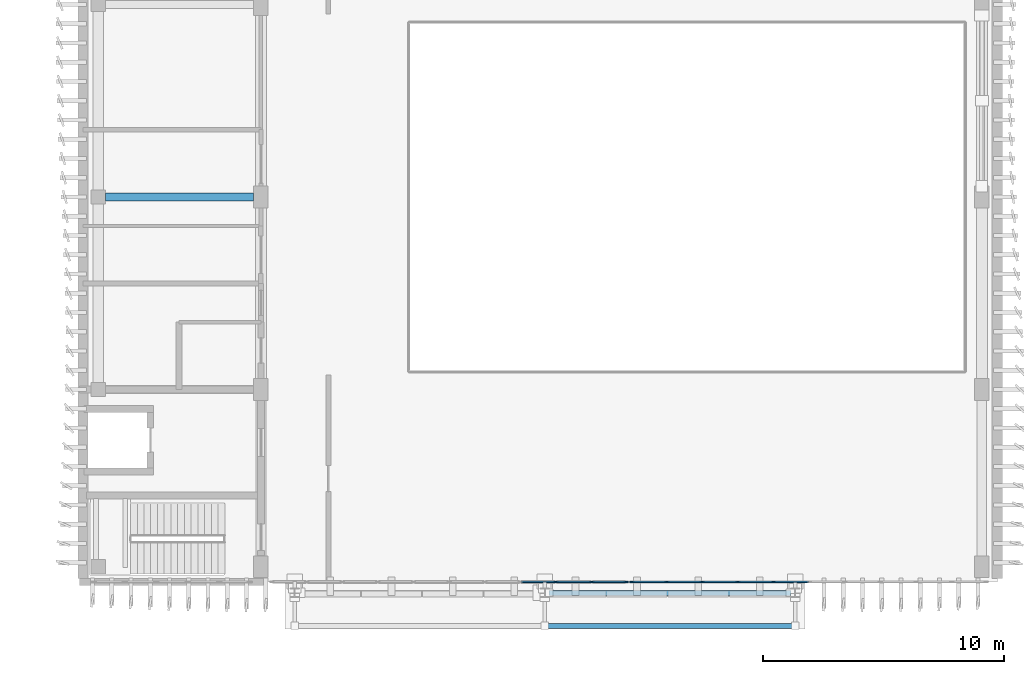
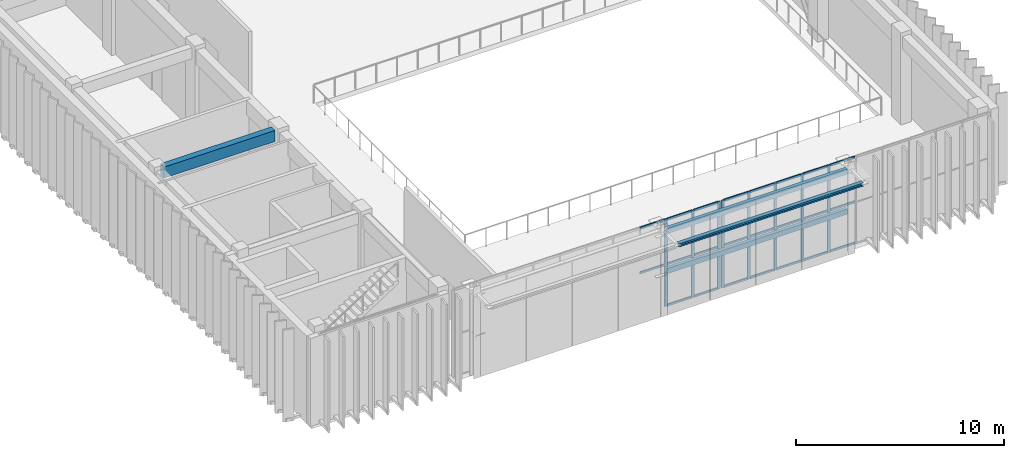
# One storey, part 5 of 64: 33 members, 2 beams, 2 elements without a shape of their own.
"""IFC4 building model written with IfcOpenShell, lengths in metres."""

import ifcopenshell
import ifcopenshell.guid

model = None  # the IFC model being written
_history = None  # IfcOwnerHistory: only IFC2X3 demands one
_inside = {}  # id of a spatial element -> (the spatial element, [elements in it])
_under = {}  # id of a project, library or spatial element -> (it, [spatial elements below it])
_declared = {}  # id of a project -> (the project, [libraries it declares])
_typed = {}  # id of a type object -> (the type object, [elements of that type])
_made_of = {}  # id of a material, layer set ... -> (it, [elements and type objects made of it])


def new_model(schema):
    """Start an empty IFC model of exactly this schema.

    Asked for "IFC4X3", IfcOpenShell would pick the latest addendum, in which some entities
    have other attributes; the version numbers below select the first issue.
    IFC2X3 requires an IfcOwnerHistory on every rooted entity: one is made here for all.
    """
    global model, _history
    if schema == "IFC4X3":
        model = ifcopenshell.file(schema_version=(4, 3, 0, 0))
    else:
        model = ifcopenshell.file(schema=schema)
    _inside.clear()
    _under.clear()
    _declared.clear()
    _typed.clear()
    _made_of.clear()
    _history = None
    if model.schema == "IFC2X3":
        org = make("IfcOrganization", Name="unknown")
        user = make(
            "IfcPersonAndOrganization",
            ThePerson=make("IfcPerson", FamilyName="unknown"),
            TheOrganization=org,
        )
        app = make(
            "IfcApplication",
            ApplicationDeveloper=org,
            Version="unknown",
            ApplicationFullName="unknown",
            ApplicationIdentifier="unknown",
        )
        _history = make(
            "IfcOwnerHistory",
            OwningUser=user,
            OwningApplication=app,
            ChangeAction="ADDED",
            CreationDate=0,
        )
    return model


def make(cls, **values):
    """One entity of the class cls with the attributes given. An attribute that is None is left unset."""
    return model.create_entity(
        cls, **{name: value for name, value in values.items() if value is not None}
    )


def rooted(cls, **values):
    """An entity with a GlobalId (a new one), such as an element, a storey or a relation."""
    return make(cls, GlobalId=ifcopenshell.guid.new(), OwnerHistory=_history, **values)


def si_unit(unit_type, name, prefix=None):
    """IfcSIUnit, for example si_unit("LENGTHUNIT", "METRE", prefix="MILLI")."""
    return make("IfcSIUnit", UnitType=unit_type, Prefix=prefix, Name=name)


def assignment(units):
    """IfcUnitAssignment: the units of a project."""
    return None if units is None else make("IfcUnitAssignment", Units=units)


def point(xyz):
    """IfcCartesianPoint."""
    return None if xyz is None else make("IfcCartesianPoint", Coordinates=xyz)


def direction(xyz):
    """IfcDirection."""
    return None if xyz is None else make("IfcDirection", DirectionRatios=xyz)


def frame(location, z_axis=None, x_axis=None):
    """IfcAxis2Placement3D, a coordinate frame: its origin and axes. An axis left out is left unset."""
    return make(
        "IfcAxis2Placement3D",
        Location=point(location),
        Axis=direction(z_axis),
        RefDirection=direction(x_axis),
    )


def frame_2d(location, x_axis=None):
    """IfcAxis2Placement2D, a coordinate frame in the plane: its origin and x axis."""
    return make(
        "IfcAxis2Placement2D", Location=point(location), RefDirection=direction(x_axis)
    )


def origin():
    """The frame at (0, 0, 0) with its axes left unset."""
    return frame((0.0, 0.0, 0.0))


def origin_2d():
    """The frame at (0, 0) in the plane with its x axis left unset."""
    return frame_2d((0.0, 0.0))


def place(relative_to, where):
    """IfcLocalPlacement: puts the frame where relative to a parent placement (None: the world)."""
    return make(
        "IfcLocalPlacement", PlacementRelTo=relative_to, RelativePlacement=where
    )


def context(
    kind, dimensions, precision=None, world=None, true_north=None, identifier=None
):
    """IfcGeometricRepresentationContext, for example the 3D "Model" context."""
    return make(
        "IfcGeometricRepresentationContext",
        ContextIdentifier=identifier,
        ContextType=kind,
        CoordinateSpaceDimension=dimensions,
        Precision=precision,
        WorldCoordinateSystem=world,
        TrueNorth=true_north,
    )


def subcontext(parent, identifier, kind, view, scale=None):
    """IfcGeometricRepresentationSubContext, for example "Body" below "Model"."""
    return make(
        "IfcGeometricRepresentationSubContext",
        ContextIdentifier=identifier,
        ContextType=kind,
        ParentContext=parent,
        TargetScale=scale,
        TargetView=view,
    )


def project(units=None, contexts=None):
    """IfcProject with its units and contexts."""
    return rooted(
        "IfcProject",
        Name="project",
        RepresentationContexts=contexts,
        UnitsInContext=assignment(units),
    )


def spatial(cls, under=None, at=None, **own):
    """A site, building, storey or space (cls), placed at a placement, below another one or the project."""
    s = rooted(cls, ObjectPlacement=at, **own)
    if under is not None:
        _under.setdefault(under.id(), (under, []))[1].append(s)
    return s


def profile(cls, at=None, kind="AREA", **sizes):
    """A parametric profile (cls). Its sizes go by their IFC names, for example OverallWidth=200.0."""
    return make(cls, ProfileType=kind, Position=at, **sizes)


def rectangle(**sizes):
    """IfcRectangleProfileDef."""
    return profile("IfcRectangleProfileDef", **sizes)


def hollow_rectangle(**sizes):
    """IfcRectangleHollowProfileDef."""
    return profile("IfcRectangleHollowProfileDef", **sizes)


def i_section(**sizes):
    """IfcIShapeProfileDef."""
    return profile("IfcIShapeProfileDef", **sizes)


def extrude(swept, where, along, depth):
    """IfcExtrudedAreaSolid: the profile swept, set in the frame where, extruded along a direction by depth."""
    return make(
        "IfcExtrudedAreaSolid",
        SweptArea=swept,
        Position=where,
        ExtrudedDirection=direction(along),
        Depth=depth,
    )


def shape(context_of_items, identifier, shape_type, items):
    """IfcShapeRepresentation: the items that make up one representation, for example the "Body"."""
    return make(
        "IfcShapeRepresentation",
        ContextOfItems=context_of_items,
        RepresentationIdentifier=identifier,
        RepresentationType=shape_type,
        Items=items,
    )


def material(Name=None, Category=None):
    """IfcMaterial."""
    return make("IfcMaterial", Name=Name, Category=Category)


def layer(
    of_material, thickness, ventilated=None, Name=None, Category=None, Priority=None
):
    """IfcMaterialLayer: one layer of a wall or slab, of a material (None: an air gap)."""
    return make(
        "IfcMaterialLayer",
        Material=of_material,
        LayerThickness=thickness,
        IsVentilated=ventilated,
        Name=Name,
        Category=Category,
        Priority=Priority,
    )


def layer_set(layers, Name=None):
    """IfcMaterialLayerSet."""
    return make("IfcMaterialLayerSet", MaterialLayers=layers, LayerSetName=Name)


def material_profile(
    of_material, cross_section, Name=None, Category=None, Priority=None
):
    """IfcMaterialProfile: a cross section and its material."""
    return make(
        "IfcMaterialProfile",
        Name=Name,
        Material=of_material,
        Profile=cross_section,
        Priority=Priority,
        Category=Category,
    )


def profile_set(profiles, Name=None, composite=None):
    """IfcMaterialProfileSet."""
    return make(
        "IfcMaterialProfileSet",
        Name=Name,
        MaterialProfiles=profiles,
        CompositeProfile=composite,
    )


def made_of(thing, what):
    """Note that an element or type object is made of a material, layer set ...; save() writes the relation."""
    if what is not None:
        _made_of.setdefault(what.id(), (what, []))[1].append(thing)
    return thing


def type_object(cls, material=None, **own):
    """A type object (cls), such as IfcWallType, which elements share."""
    return made_of(rooted(cls, **own), material)


def element(
    cls,
    number,
    at=None,
    inside=None,
    cuts=None,
    type_object=None,
    material=None,
    context=None,
    identifier="Body",
    shape_type=None,
    held_by="IfcProductDefinitionShape",
    body=None,
    shapes=None,
    **own,
):
    """One element of the class cls, such as IfcWall. Its Tag is "e" and its number.

    at: its placement. inside: the storey or other place that contains it. cuts: it is an
    opening in that element (IfcRelVoidsElement). A single representation is given by context,
    identifier, shape_type and body (its items); several are given by shapes. held_by: the class
    of the entity that holds the representations. save() writes the other relations.
    """
    e = rooted(cls, Tag="e%d" % number, ObjectPlacement=at, **own)
    if body is not None:
        shapes = [shape(context, identifier, shape_type, body)]
    if shapes is not None:
        e.Representation = make(held_by, Representations=shapes)
    if inside is not None:
        _inside.setdefault(inside.id(), (inside, []))[1].append(e)
    if cuts is not None:
        rooted(
            "IfcRelVoidsElement", RelatingBuildingElement=cuts, RelatedOpeningElement=e
        )
    if type_object is not None:
        _typed.setdefault(type_object.id(), (type_object, []))[1].append(e)
    return made_of(e, material)


def aggregate(whole, parts):
    """IfcRelAggregates: a whole, such as a stair, and the parts it consists of."""
    return rooted("IfcRelAggregates", RelatingObject=whole, RelatedObjects=parts)


def save(model, path):
    """Write the relations noted so far, then the file.

    IfcRelAggregates (storeys below a building ...), IfcRelContainedInSpatialStructure (elements
    in a storey), IfcRelDefinesByType, IfcRelAssociatesMaterial and IfcRelDeclares: one each for
    every whole, place, type object, material and project.
    """
    for whole, parts in _under.values():
        aggregate(whole, parts)
    for where, things in _inside.values():
        rooted(
            "IfcRelContainedInSpatialStructure",
            RelatedElements=things,
            RelatingStructure=where,
        )
    for kind, things in _typed.values():
        rooted("IfcRelDefinesByType", RelatedObjects=things, RelatingType=kind)
    for what, things in _made_of.values():
        rooted("IfcRelAssociatesMaterial", RelatedObjects=things, RelatingMaterial=what)
    for by, libraries in _declared.values():
        rooted("IfcRelDeclares", RelatingContext=by, RelatedDefinitions=libraries)
    model.write(path)


model = new_model("IFC4")

# Units and contexts
model_context = context("Model", 3, precision=1e-05, world=origin(), true_north=direction((0.0, 1.0)))
body_context = subcontext(model_context, "Body", "Model", "MODEL_VIEW")
ifc_project = project(units=[si_unit("LENGTHUNIT", "METRE"), si_unit("AREAUNIT", "SQUARE_METRE"), si_unit("VOLUMEUNIT", "CUBIC_METRE"), si_unit("PLANEANGLEUNIT", "RADIAN"), si_unit("MASSUNIT", "GRAM", prefix="KILO")], contexts=[model_context])

# Site, building, storey
site_placement = place(None, origin())
site = spatial("IfcSite", under=ifc_project, at=site_placement, CompositionType="ELEMENT")
building_placement = place(site_placement, origin())
building = spatial("IfcBuilding", under=site, at=building_placement, Name="Cinchona Park Media Centre", CompositionType="ELEMENT")
storey_placement = place(building_placement, frame((0.0, 0.0, 10.199951171875)))
storey = spatial("IfcBuildingStorey", under=building, at=storey_placement, Name="L02", CompositionType="ELEMENT", Elevation=10.199951171875)

# Beams
ifc_material_1 = material(Name="Concrete C35/45", Category="concrete")
ifc_material_profile_1 = material_profile(ifc_material_1, rectangle(XDim=0.35009765625, YDim=0.64990234375, at=origin_2d()), Name="RB 350X650")
ifc_profile_set_1 = profile_set([ifc_material_profile_1], Name="Concrete C35/45")
beam_type_1 = type_object("IfcBeamType", Name="BEAM-B04-RB350X650", PredefinedType="BEAM", material=ifc_profile_set_1)
beam_1_placement = place(storey_placement, frame((8.93994140625, 23.60009765625, 4.8349609375), z_axis=(1.0, 0.0, 0.0), x_axis=(0.0, 1.0, 0.0)))
element("IfcBeam", 1, at=beam_1_placement, inside=storey, type_object=beam_type_1, Name="Beam B04 L02", PredefinedType="BEAM", context=body_context, shape_type="SweptSolid", body=[
    extrude(rectangle(XDim=0.35009765625, YDim=0.64990234375, at=origin_2d()), origin(), (0.0, 0.0, 1.0), 6.16015625),
])
ifc_material_2 = material(Name="Steel S355", Category="steel")
ifc_material_profile_2 = material_profile(ifc_material_2, i_section(OverallWidth=0.202880859375, OverallDepth=0.202880859375, WebThickness=0.007080078125, FlangeThickness=0.010986328125, at=origin_2d()), Name="W200X46")
ifc_profile_set_2 = profile_set([ifc_material_profile_2], Name="Steel S355")
beam_type_2 = type_object("IfcBeamType", Name="BEAM-B10-W200X46", PredefinedType="BEAM", material=ifc_profile_set_2)
beam_2_placement = place(storey_placement, frame((27.280029296875, 5.780029296875, 4.89794921875), z_axis=(1.0, 0.0, 0.0), x_axis=(0.0, 1.0, 0.0)))
element("IfcBeam", 2, at=beam_2_placement, inside=storey, type_object=beam_type_2, Name="Screen Canopy Front Fascia Beam B10 L02", PredefinedType="BEAM", context=body_context, shape_type="SweptSolid", body=[
    extrude(i_section(OverallWidth=0.202880859375, OverallDepth=0.202880859375, WebThickness=0.007080078125, FlangeThickness=0.010986328125, at=origin_2d()), origin(), (0.0, 0.0, 1.0), 10.239990234375),
])

# Members
ifc_material_3 = material(Name="Steel S355", Category="steel")
ifc_material_profile_3 = material_profile(ifc_material_3, hollow_rectangle(XDim=0.199951171875, YDim=0.300048828125, WallThickness=0.01611328125, at=origin_2d()), Name="300X200X16RHS")
ifc_profile_set_3 = profile_set([ifc_material_profile_3], Name="Steel S355")
member_type_1 = type_object("IfcMemberType", Name="MEMBER-TS05-RHS300X200X16", PredefinedType="STRUT", material=ifc_profile_set_3)
for number, where, z_axis, x_axis, name in (
    (3, (27.3798828125, 7.14990234375, 2.5), (1.0, 0.0, 0.0), (0.0, 1.0, 0.0), "Entrance Screen Portal Member TS05 L02"),
    (4, (27.3798828125, 7.14990234375, 4.85009765625), (1.0, 0.0, 0.0), (0.0, 1.0, 0.0), "Entrance Screen Portal Member TS05 L02"),
):
    element("IfcMember", number, at=place(storey_placement, frame(where, z_axis=z_axis, x_axis=x_axis)), inside=storey, type_object=member_type_1, Name=name, PredefinedType="STRUT", context=body_context, shape_type="SweptSolid", body=[
        extrude(hollow_rectangle(XDim=0.199951171875, YDim=0.300048828125, WallThickness=0.01611328125, at=origin_2d()), origin(), (0.0, 0.0, 1.0), 10.0400390625),
    ])

# Curtain wall, members
ifc_material_4 = material(Name="Aluminium Curtain Wall Framing", Category="aluminium")
ifc_layer_1 = layer(ifc_material_4, 0.27001953125)
ifc_layer_set_1 = layer_set([ifc_layer_1], Name="Aluminium Curtain Wall Framing")
curtain_wall_type_1 = type_object("IfcCurtainWallType", Name="CW-CW07", PredefinedType="USERDEFINED", material=ifc_layer_set_1)
curtain_wall_1_placement = place(storey_placement, origin())
curtain_wall_1 = element("IfcCurtainWall", 5, at=curtain_wall_1_placement, inside=storey, type_object=curtain_wall_type_1, Name="Curtain Wall CW07 L02", ObjectType="UNITISED CURTAIN WALL", PredefinedType="USERDEFINED")
ifc_material_5 = material(Name="Anodised Aluminium Alloy 6063-T6", Category="aluminium")
ifc_material_profile_4 = material_profile(ifc_material_5, rectangle(XDim=0.06494140625, YDim=0.159912109375, at=origin_2d()), Name="MUL-65X160")
ifc_profile_set_4 = profile_set([ifc_material_profile_4], Name="Anodised Aluminium Alloy 6063-T6")
member_type_2 = type_object("IfcMemberType", Name="MULLION-MUL01", PredefinedType="MULLION", material=ifc_profile_set_4)
member_1_placement = place(storey_placement, frame((36.699951171875, 7.60009765625, 0.050048828125), z_axis=(0.0, 0.0, 1.0), x_axis=(0.0, -1.0, 0.0)))
member_1 = element("IfcMember", 6, at=member_1_placement, type_object=member_type_2, Name="CW07 mullion 7", PredefinedType="MULLION", context=body_context, shape_type="SweptSolid", body=[
    extrude(rectangle(XDim=0.06494140625, YDim=0.159912109375, at=origin_2d()), origin(), (0.0, 0.0, 1.0), 5.110107421875),
])
member_2_placement = place(storey_placement, frame((35.219970703125, 7.60009765625, 0.050048828125), z_axis=(0.0, 0.0, 1.0), x_axis=(0.0, -1.0, 0.0)))
member_2 = element("IfcMember", 7, at=member_2_placement, type_object=member_type_2, Name="CW07 mullion 8", PredefinedType="MULLION", context=body_context, shape_type="SweptSolid", body=[
    extrude(rectangle(XDim=0.06494140625, YDim=0.159912109375, at=origin_2d()), origin(), (0.0, 0.0, 1.0), 5.110107421875),
])
member_3_placement = place(storey_placement, frame((33.739990234375, 7.60009765625, 0.050048828125), z_axis=(0.0, 0.0, 1.0), x_axis=(0.0, -1.0, 0.0)))
member_3 = element("IfcMember", 8, at=member_3_placement, type_object=member_type_2, Name="CW07 mullion 9", PredefinedType="MULLION", context=body_context, shape_type="SweptSolid", body=[
    extrude(rectangle(XDim=0.06494140625, YDim=0.159912109375, at=origin_2d()), origin(), (0.0, 0.0, 1.0), 5.110107421875),
])
member_4_placement = place(storey_placement, frame((32.260009765625, 7.60009765625, 0.050048828125), z_axis=(0.0, 0.0, 1.0), x_axis=(0.0, -1.0, 0.0)))
member_4 = element("IfcMember", 9, at=member_4_placement, type_object=member_type_2, Name="CW07 mullion 10", PredefinedType="MULLION", context=body_context, shape_type="SweptSolid", body=[
    extrude(rectangle(XDim=0.06494140625, YDim=0.159912109375, at=origin_2d()), origin(), (0.0, 0.0, 1.0), 5.110107421875),
])
member_5_placement = place(storey_placement, frame((30.8125, 7.60009765625, 0.050048828125), z_axis=(0.0, 0.0, 1.0), x_axis=(0.0, -1.0, 0.0)))
member_5 = element("IfcMember", 10, at=member_5_placement, type_object=member_type_2, Name="CW07 mullion 11", PredefinedType="MULLION", context=body_context, shape_type="SweptSolid", body=[
    extrude(rectangle(XDim=0.06494140625, YDim=0.159912109375, at=origin_2d()), origin(), (0.0, 0.0, 1.0), 5.110107421875),
])

ifc_material_6 = material(Name="Aluminium Curtain Wall Framing", Category="aluminium")
ifc_layer_2 = layer(ifc_material_6, 0.284912109375)
ifc_layer_set_2 = layer_set([ifc_layer_2], Name="Aluminium Curtain Wall Framing")
curtain_wall_type_2 = type_object("IfcCurtainWallType", Name="CW-CW08", PredefinedType="USERDEFINED", material=ifc_layer_set_2)
curtain_wall_2_placement = place(storey_placement, origin())
curtain_wall_2 = element("IfcCurtainWall", 11, at=curtain_wall_2_placement, inside=storey, type_object=curtain_wall_type_2, Name="Curtain Wall CW08 L02", ObjectType="UNITISED CURTAIN WALL", PredefinedType="USERDEFINED")
member_6_placement = place(storey_placement, frame((30.58740234375, 7.60009765625, 0.050048828125), z_axis=(0.0, 0.0, 1.0), x_axis=(0.0, -1.0, 0.0)))
member_6 = element("IfcMember", 12, at=member_6_placement, type_object=member_type_2, Name="CW08 mullion 1", PredefinedType="MULLION", context=body_context, shape_type="SweptSolid", body=[
    extrude(rectangle(XDim=0.06494140625, YDim=0.159912109375, at=origin_2d()), origin(), (0.0, 0.0, 1.0), 5.110107421875),
])
member_7_placement = place(storey_placement, frame((29.139892578125, 7.60009765625, 0.050048828125), z_axis=(0.0, 0.0, 1.0), x_axis=(0.0, -1.0, 0.0)))
member_7 = element("IfcMember", 13, at=member_7_placement, type_object=member_type_2, Name="CW08 mullion 2", PredefinedType="MULLION", context=body_context, shape_type="SweptSolid", body=[
    extrude(rectangle(XDim=0.06494140625, YDim=0.159912109375, at=origin_2d()), origin(), (0.0, 0.0, 1.0), 5.110107421875),
])
member_8_placement = place(storey_placement, frame((27.659912109375, 7.60009765625, 0.050048828125), z_axis=(0.0, 0.0, 1.0), x_axis=(0.0, -1.0, 0.0)))
member_8 = element("IfcMember", 14, at=member_8_placement, type_object=member_type_2, Name="CW08 mullion 3", PredefinedType="MULLION", context=body_context, shape_type="SweptSolid", body=[
    extrude(rectangle(XDim=0.06494140625, YDim=0.159912109375, at=origin_2d()), origin(), (0.0, 0.0, 1.0), 5.110107421875),
])

# Member
ifc_material_7 = material(Name="Anodised Aluminium Alloy 6063-T6", Category="aluminium")
ifc_material_profile_5 = material_profile(ifc_material_7, rectangle(XDim=0.06494140625, YDim=0.1201171875, at=origin_2d()), Name="TRN-65X120")
ifc_profile_set_5 = profile_set([ifc_material_profile_5], Name="Anodised Aluminium Alloy 6063-T6")
member_type_3 = type_object("IfcMemberType", Name="TRANSOM-TRN01", PredefinedType="USERDEFINED", material=ifc_profile_set_5)
member_9_placement = place(storey_placement, frame((38.1474609375, 7.60009765625, 0.08251953125), z_axis=(-1.0, 0.0, 0.0), x_axis=(0.0, -1.0, 0.0)))
member_9 = element("IfcMember", 15, at=member_9_placement, type_object=member_type_3, Name="CW07 transom 6.1", ObjectType="TRANSOM", PredefinedType="USERDEFINED", context=body_context, shape_type="SweptSolid", body=[
    extrude(rectangle(XDim=0.06494140625, YDim=0.1201171875, at=origin_2d()), origin(), (0.0, 0.0, 1.0), 1.4150390625),
])

member_10_placement = place(storey_placement, frame((38.1474609375, 7.60009765625, 2.5029296875), z_axis=(-1.0, 0.0, 0.0), x_axis=(0.0, -1.0, 0.0)))
member_10 = element("IfcMember", 16, at=member_10_placement, type_object=member_type_3, Name="CW07 transom 6.2", ObjectType="TRANSOM", PredefinedType="USERDEFINED", context=body_context, shape_type="SweptSolid", body=[
    extrude(rectangle(XDim=0.06494140625, YDim=0.1201171875, at=origin_2d()), origin(), (0.0, 0.0, 1.0), 1.4150390625),
])

member_11_placement = place(storey_placement, frame((38.1474609375, 7.60009765625, 5.12744140625), z_axis=(-1.0, 0.0, 0.0), x_axis=(0.0, -1.0, 0.0)))
member_11 = element("IfcMember", 17, at=member_11_placement, type_object=member_type_3, Name="CW07 transom 6.3", ObjectType="TRANSOM", PredefinedType="USERDEFINED", context=body_context, shape_type="SweptSolid", body=[
    extrude(rectangle(XDim=0.06494140625, YDim=0.1201171875, at=origin_2d()), origin(), (0.0, 0.0, 1.0), 1.4150390625),
])

member_12_placement = place(storey_placement, frame((36.66748046875, 7.60009765625, 0.08251953125), z_axis=(-1.0, 0.0, 0.0), x_axis=(0.0, -1.0, 0.0)))
member_12 = element("IfcMember", 18, at=member_12_placement, type_object=member_type_3, Name="CW07 transom 7.1", ObjectType="TRANSOM", PredefinedType="USERDEFINED", context=body_context, shape_type="SweptSolid", body=[
    extrude(rectangle(XDim=0.06494140625, YDim=0.1201171875, at=origin_2d()), origin(), (0.0, 0.0, 1.0), 1.4150390625),
])

member_13_placement = place(storey_placement, frame((36.66748046875, 7.60009765625, 2.5029296875), z_axis=(-1.0, 0.0, 0.0), x_axis=(0.0, -1.0, 0.0)))
member_13 = element("IfcMember", 19, at=member_13_placement, type_object=member_type_3, Name="CW07 transom 7.2", ObjectType="TRANSOM", PredefinedType="USERDEFINED", context=body_context, shape_type="SweptSolid", body=[
    extrude(rectangle(XDim=0.06494140625, YDim=0.1201171875, at=origin_2d()), origin(), (0.0, 0.0, 1.0), 1.4150390625),
])

member_14_placement = place(storey_placement, frame((36.66748046875, 7.60009765625, 5.12744140625), z_axis=(-1.0, 0.0, 0.0), x_axis=(0.0, -1.0, 0.0)))
member_14 = element("IfcMember", 20, at=member_14_placement, type_object=member_type_3, Name="CW07 transom 7.3", ObjectType="TRANSOM", PredefinedType="USERDEFINED", context=body_context, shape_type="SweptSolid", body=[
    extrude(rectangle(XDim=0.06494140625, YDim=0.1201171875, at=origin_2d()), origin(), (0.0, 0.0, 1.0), 1.4150390625),
])

member_15_placement = place(storey_placement, frame((35.1875, 7.60009765625, 0.08251953125), z_axis=(-1.0, 0.0, 0.0), x_axis=(0.0, -1.0, 0.0)))
member_15 = element("IfcMember", 21, at=member_15_placement, type_object=member_type_3, Name="CW07 transom 8.1", ObjectType="TRANSOM", PredefinedType="USERDEFINED", context=body_context, shape_type="SweptSolid", body=[
    extrude(rectangle(XDim=0.06494140625, YDim=0.1201171875, at=origin_2d()), origin(), (0.0, 0.0, 1.0), 1.4150390625),
])

member_16_placement = place(storey_placement, frame((35.1875, 7.60009765625, 2.5029296875), z_axis=(-1.0, 0.0, 0.0), x_axis=(0.0, -1.0, 0.0)))
member_16 = element("IfcMember", 22, at=member_16_placement, type_object=member_type_3, Name="CW07 transom 8.2", ObjectType="TRANSOM", PredefinedType="USERDEFINED", context=body_context, shape_type="SweptSolid", body=[
    extrude(rectangle(XDim=0.06494140625, YDim=0.1201171875, at=origin_2d()), origin(), (0.0, 0.0, 1.0), 1.4150390625),
])

member_17_placement = place(storey_placement, frame((35.1875, 7.60009765625, 5.12744140625), z_axis=(-1.0, 0.0, 0.0), x_axis=(0.0, -1.0, 0.0)))
member_17 = element("IfcMember", 23, at=member_17_placement, type_object=member_type_3, Name="CW07 transom 8.3", ObjectType="TRANSOM", PredefinedType="USERDEFINED", context=body_context, shape_type="SweptSolid", body=[
    extrude(rectangle(XDim=0.06494140625, YDim=0.1201171875, at=origin_2d()), origin(), (0.0, 0.0, 1.0), 1.4150390625),
])

member_18_placement = place(storey_placement, frame((33.70751953125, 7.60009765625, 0.08251953125), z_axis=(-1.0, 0.0, 0.0), x_axis=(0.0, -1.0, 0.0)))
member_18 = element("IfcMember", 24, at=member_18_placement, type_object=member_type_3, Name="CW07 transom 9.1", ObjectType="TRANSOM", PredefinedType="USERDEFINED", context=body_context, shape_type="SweptSolid", body=[
    extrude(rectangle(XDim=0.06494140625, YDim=0.1201171875, at=origin_2d()), origin(), (0.0, 0.0, 1.0), 1.4150390625),
])

member_19_placement = place(storey_placement, frame((33.70751953125, 7.60009765625, 2.5029296875), z_axis=(-1.0, 0.0, 0.0), x_axis=(0.0, -1.0, 0.0)))
member_19 = element("IfcMember", 25, at=member_19_placement, type_object=member_type_3, Name="CW07 transom 9.2", ObjectType="TRANSOM", PredefinedType="USERDEFINED", context=body_context, shape_type="SweptSolid", body=[
    extrude(rectangle(XDim=0.06494140625, YDim=0.1201171875, at=origin_2d()), origin(), (0.0, 0.0, 1.0), 1.4150390625),
])

member_20_placement = place(storey_placement, frame((33.70751953125, 7.60009765625, 5.12744140625), z_axis=(-1.0, 0.0, 0.0), x_axis=(0.0, -1.0, 0.0)))
member_20 = element("IfcMember", 26, at=member_20_placement, type_object=member_type_3, Name="CW07 transom 9.3", ObjectType="TRANSOM", PredefinedType="USERDEFINED", context=body_context, shape_type="SweptSolid", body=[
    extrude(rectangle(XDim=0.06494140625, YDim=0.1201171875, at=origin_2d()), origin(), (0.0, 0.0, 1.0), 1.4150390625),
])

member_21_placement = place(storey_placement, frame((32.2275390625, 7.60009765625, 0.08251953125), z_axis=(-1.0, 0.0, 0.0), x_axis=(0.0, -1.0, 0.0)))
member_21 = element("IfcMember", 27, at=member_21_placement, type_object=member_type_3, Name="CW07 transom 10.1", ObjectType="TRANSOM", PredefinedType="USERDEFINED", context=body_context, shape_type="SweptSolid", body=[
    extrude(rectangle(XDim=0.06494140625, YDim=0.1201171875, at=origin_2d()), origin(), (0.0, 0.0, 1.0), 1.382568359375),
])

member_22_placement = place(storey_placement, frame((32.2275390625, 7.60009765625, 2.5029296875), z_axis=(-1.0, 0.0, 0.0), x_axis=(0.0, -1.0, 0.0)))
member_22 = element("IfcMember", 28, at=member_22_placement, type_object=member_type_3, Name="CW07 transom 10.2", ObjectType="TRANSOM", PredefinedType="USERDEFINED", context=body_context, shape_type="SweptSolid", body=[
    extrude(rectangle(XDim=0.06494140625, YDim=0.1201171875, at=origin_2d()), origin(), (0.0, 0.0, 1.0), 1.382568359375),
])

member_23_placement = place(storey_placement, frame((32.2275390625, 7.60009765625, 5.12744140625), z_axis=(-1.0, 0.0, 0.0), x_axis=(0.0, -1.0, 0.0)))
member_23 = element("IfcMember", 29, at=member_23_placement, type_object=member_type_3, Name="CW07 transom 10.3", ObjectType="TRANSOM", PredefinedType="USERDEFINED", context=body_context, shape_type="SweptSolid", body=[
    extrude(rectangle(XDim=0.06494140625, YDim=0.1201171875, at=origin_2d()), origin(), (0.0, 0.0, 1.0), 1.382568359375),
])

aggregate(curtain_wall_1, [member_1, member_2, member_3, member_4, member_5, member_9, member_10, member_11, member_12, member_13, member_14, member_15, member_16, member_17, member_18, member_19, member_20, member_21, member_22, member_23])

member_24_placement = place(storey_placement, frame((30.554931640625, 7.60009765625, 0.08251953125), z_axis=(-1.0, 0.0, 0.0), x_axis=(0.0, -1.0, 0.0)))
member_24 = element("IfcMember", 30, at=member_24_placement, type_object=member_type_3, Name="CW08 transom 1.1", ObjectType="TRANSOM", PredefinedType="USERDEFINED", context=body_context, shape_type="SweptSolid", body=[
    extrude(rectangle(XDim=0.06494140625, YDim=0.1201171875, at=origin_2d()), origin(), (0.0, 0.0, 1.0), 1.38232421875),
])

member_25_placement = place(storey_placement, frame((30.554931640625, 7.60009765625, 2.5029296875), z_axis=(-1.0, 0.0, 0.0), x_axis=(0.0, -1.0, 0.0)))
member_25 = element("IfcMember", 31, at=member_25_placement, type_object=member_type_3, Name="CW08 transom 1.2", ObjectType="TRANSOM", PredefinedType="USERDEFINED", context=body_context, shape_type="SweptSolid", body=[
    extrude(rectangle(XDim=0.06494140625, YDim=0.1201171875, at=origin_2d()), origin(), (0.0, 0.0, 1.0), 1.38232421875),
])

member_26_placement = place(storey_placement, frame((30.554931640625, 7.60009765625, 5.12744140625), z_axis=(-1.0, 0.0, 0.0), x_axis=(0.0, -1.0, 0.0)))
member_26 = element("IfcMember", 32, at=member_26_placement, type_object=member_type_3, Name="CW08 transom 1.3", ObjectType="TRANSOM", PredefinedType="USERDEFINED", context=body_context, shape_type="SweptSolid", body=[
    extrude(rectangle(XDim=0.06494140625, YDim=0.1201171875, at=origin_2d()), origin(), (0.0, 0.0, 1.0), 1.38232421875),
])

member_27_placement = place(storey_placement, frame((29.107421875, 7.60009765625, 0.08251953125), z_axis=(-1.0, 0.0, 0.0), x_axis=(0.0, -1.0, 0.0)))
member_27 = element("IfcMember", 33, at=member_27_placement, type_object=member_type_3, Name="CW08 transom 2.1", ObjectType="TRANSOM", PredefinedType="USERDEFINED", context=body_context, shape_type="SweptSolid", body=[
    extrude(rectangle(XDim=0.06494140625, YDim=0.1201171875, at=origin_2d()), origin(), (0.0, 0.0, 1.0), 1.4150390625),
])

member_28_placement = place(storey_placement, frame((29.107421875, 7.60009765625, 2.5029296875), z_axis=(-1.0, 0.0, 0.0), x_axis=(0.0, -1.0, 0.0)))
member_28 = element("IfcMember", 34, at=member_28_placement, type_object=member_type_3, Name="CW08 transom 2.2", ObjectType="TRANSOM", PredefinedType="USERDEFINED", context=body_context, shape_type="SweptSolid", body=[
    extrude(rectangle(XDim=0.06494140625, YDim=0.1201171875, at=origin_2d()), origin(), (0.0, 0.0, 1.0), 1.4150390625),
])

member_29_placement = place(storey_placement, frame((29.107421875, 7.60009765625, 5.12744140625), z_axis=(-1.0, 0.0, 0.0), x_axis=(0.0, -1.0, 0.0)))
member_29 = element("IfcMember", 35, at=member_29_placement, type_object=member_type_3, Name="CW08 transom 2.3", ObjectType="TRANSOM", PredefinedType="USERDEFINED", context=body_context, shape_type="SweptSolid", body=[
    extrude(rectangle(XDim=0.06494140625, YDim=0.1201171875, at=origin_2d()), origin(), (0.0, 0.0, 1.0), 1.4150390625),
])

member_30_placement = place(storey_placement, frame((27.62744140625, 7.60009765625, 2.5029296875), z_axis=(-1.0, 0.0, 0.0), x_axis=(0.0, -1.0, 0.0)))
member_30 = element("IfcMember", 36, at=member_30_placement, type_object=member_type_3, Name="CW08 transom 3.2", ObjectType="TRANSOM", PredefinedType="USERDEFINED", context=body_context, shape_type="SweptSolid", body=[
    extrude(rectangle(XDim=0.06494140625, YDim=0.1201171875, at=origin_2d()), origin(), (0.0, 0.0, 1.0), 1.4150390625),
])

member_31_placement = place(storey_placement, frame((27.62744140625, 7.60009765625, 5.12744140625), z_axis=(-1.0, 0.0, 0.0), x_axis=(0.0, -1.0, 0.0)))
member_31 = element("IfcMember", 37, at=member_31_placement, type_object=member_type_3, Name="CW08 transom 3.3", ObjectType="TRANSOM", PredefinedType="USERDEFINED", context=body_context, shape_type="SweptSolid", body=[
    extrude(rectangle(XDim=0.06494140625, YDim=0.1201171875, at=origin_2d()), origin(), (0.0, 0.0, 1.0), 1.4150390625),
])

aggregate(curtain_wall_2, [member_6, member_7, member_8, member_24, member_25, member_26, member_27, member_28, member_29, member_30, member_31])

save(model, "model.ifc")
